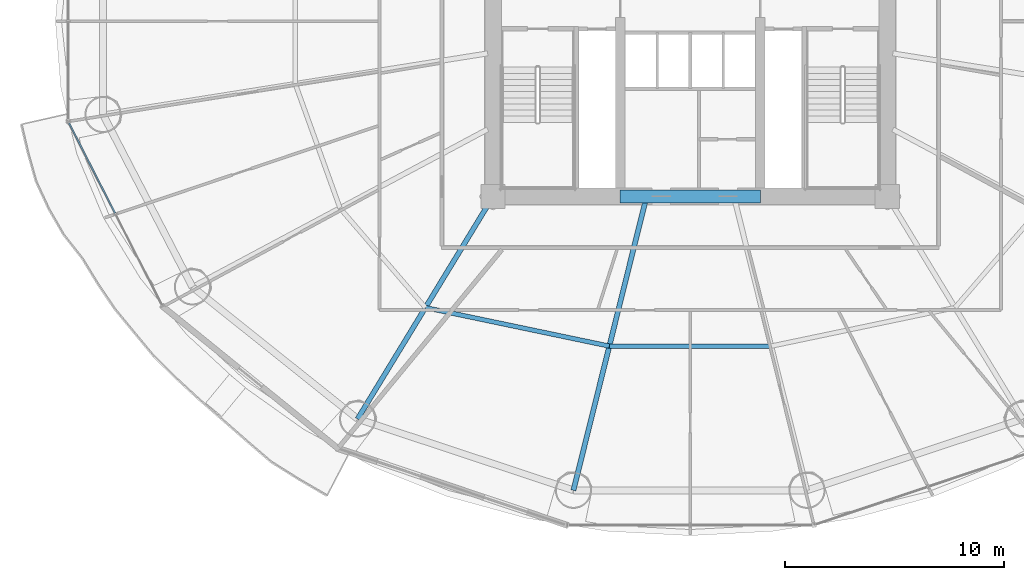
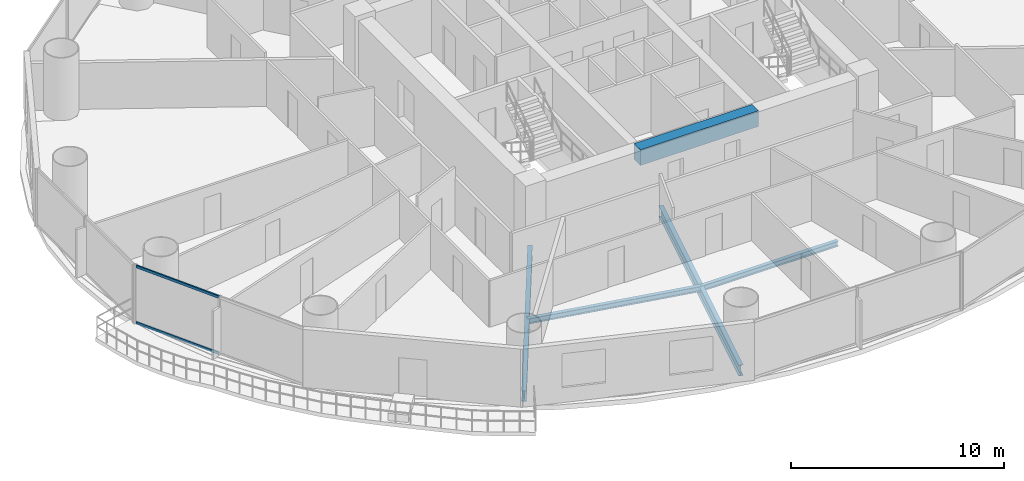
# One storey, part 5 of 29: 5 beams, 2 members, 1 element without a shape of its own.
"""IFC4 building model written with IfcOpenShell, lengths in metres."""

from ifc_helpers import new_model, si_unit, direction, frame, origin, origin_2d, place, context, subcontext, project, spatial, rectangle, hollow_rectangle, i_section, extrude, source, transform, mapped, material, material_profile, profile_set, type_object, element, aggregate, save


model = new_model("IFC4")

# Units and contexts
model_context = context("Model", 3, precision=1e-05, world=origin(), true_north=direction((-0.2419218956, 0.970295726276)))
body_context = subcontext(model_context, "Body", "Model", "MODEL_VIEW")
ifc_project = project(units=[si_unit("LENGTHUNIT", "METRE"), si_unit("AREAUNIT", "SQUARE_METRE"), si_unit("VOLUMEUNIT", "CUBIC_METRE"), si_unit("PLANEANGLEUNIT", "RADIAN"), si_unit("MASSUNIT", "GRAM", prefix="KILO")], contexts=[model_context])

# Site, building, storey
site_placement = place(None, origin())
site = spatial("IfcSite", under=ifc_project, at=site_placement, CompositionType="ELEMENT")
building_placement = place(site_placement, origin())
building = spatial("IfcBuilding", under=site, at=building_placement, Name="Cobrevalo Terracotta Tower", CompositionType="ELEMENT")
storey_placement = place(building_placement, frame((0.0, 0.0, 45.60009765625)))
storey = spatial("IfcBuildingStorey", under=building, at=storey_placement, Name="L11", CompositionType="ELEMENT", Elevation=45.60009765625)

# Beams
ifc_material_1 = material(Name="Concrete C60", Category="concrete")
ifc_material_profile_1 = material_profile(ifc_material_1, rectangle(XDim=0.60009765625, YDim=0.89990234375, at=origin_2d()), Name="RC CB 600x900")
ifc_profile_set_1 = profile_set([ifc_material_profile_1], Name="Concrete C60")
beam_type_1 = type_object("IfcBeamType", Name="Structural Beam RC CB 600x900 (Concrete C60)", PredefinedType="BEAM", material=ifc_profile_set_1)
beam_1_placement = place(storey_placement, frame((34.800048828125, 18.800048828125, 2.869873046875), z_axis=(1.0, 0.0, 0.0), x_axis=(0.0, 1.0, 0.0)))
element("IfcBeam", 1, at=beam_1_placement, inside=storey, type_object=beam_type_1, Name="L11 core coupling beam 1", PredefinedType="BEAM", context=body_context, shape_type="SweptSolid", body=[
    extrude(rectangle(XDim=0.60009765625, YDim=0.89990234375, at=origin_2d()), origin(), (0.0, 0.0, 1.0), 6.39990234375),
])
ifc_material_2 = material(Name="Steel S355", Category="steel")
ifc_material_profile_2 = material_profile(ifc_material_2, i_section(OverallWidth=0.22998046875, OverallDepth=0.616943359375, WebThickness=0.01318359375, FlangeThickness=0.022216796875, at=origin_2d()), Name="W 610x140")
ifc_profile_set_2 = profile_set([ifc_material_profile_2], Name="Steel S355")
beam_type_2 = type_object("IfcBeamType", Name="Structural Beam W 610x140 (Steel S355)", PredefinedType="BEAM", material=ifc_profile_set_2)
beam_2_placement = place(storey_placement, frame((22.80517578125, 8.63232421875, -0.588623046875), z_axis=(0.520300780853, 0.853983077961, 0.0), x_axis=(-0.853983077961, 0.520300780853, 0.0)))
element("IfcBeam", 2, at=beam_2_placement, inside=storey, type_object=beam_type_2, Name="L11 radial floor girder 11", PredefinedType="BEAM", context=body_context, shape_type="SweptSolid", body=[
    extrude(i_section(OverallWidth=0.22998046875, OverallDepth=0.616943359375, WebThickness=0.01318359375, FlangeThickness=0.022216796875, at=origin_2d()), origin(), (0.0, 0.0, 1.0), 11.90625),
])
beam_3_placement = place(storey_placement, frame((32.664306640625, 5.369873046875, -0.588623046875), z_axis=(0.241600470374, 0.970375810042, 0.0), x_axis=(-0.970375810042, 0.241600470374, 0.0)))
element("IfcBeam", 3, at=beam_3_placement, inside=storey, type_object=beam_type_2, Name="L11 radial floor girder 12", PredefinedType="BEAM", context=body_context, shape_type="SweptSolid", body=[
    extrude(i_section(OverallWidth=0.22998046875, OverallDepth=0.616943359375, WebThickness=0.01318359375, FlangeThickness=0.022216796875, at=origin_2d()), origin(), (0.0, 0.0, 1.0), 13.5771484375),
])
ifc_material_profile_3 = material_profile(ifc_material_2, i_section(OverallWidth=0.2041015625, OverallDepth=0.305908203125, WebThickness=0.008544921875, FlangeThickness=0.0146484375, at=origin_2d()), Name="W 310x67")
ifc_profile_set_3 = profile_set([ifc_material_profile_3], Name="Steel S355")
beam_type_3 = type_object("IfcBeamType", Name="Structural Joist W 310x67 (Steel S355)", PredefinedType="JOIST", material=ifc_profile_set_3)
beam_4_placement = place(storey_placement, frame((25.902587890625, 13.71630859375, -0.43310546875), z_axis=(0.978784523904, -0.204892302848, 0.0), x_axis=(0.204892302848, 0.978784523904, 0.0)))
element("IfcBeam", 4, at=beam_4_placement, inside=storey, type_object=beam_type_3, Name="L11 circumferential secondary floor joist 11", PredefinedType="JOIST", context=body_context, shape_type="SweptSolid", body=[
    extrude(i_section(OverallWidth=0.2041015625, OverallDepth=0.305908203125, WebThickness=0.008544921875, FlangeThickness=0.0146484375, at=origin_2d()), origin(), (0.0, 0.0, 1.0), 8.583984375),
])
beam_5_placement = place(storey_placement, frame((34.304443359375, 11.95751953125, -0.43310546875), z_axis=(1.0, 0.0, 0.0), x_axis=(0.0, 1.0, 0.0)))
element("IfcBeam", 5, at=beam_5_placement, inside=storey, type_object=beam_type_3, Name="L11 circumferential secondary floor joist 12", PredefinedType="JOIST", context=body_context, shape_type="SweptSolid", body=[
    extrude(i_section(OverallWidth=0.2041015625, OverallDepth=0.305908203125, WebThickness=0.008544921875, FlangeThickness=0.0146484375, at=origin_2d()), origin(), (0.0, 0.0, 1.0), 7.39111328125),
])

# Curtain wall, members
ifc_material_3 = material(Name="Anodized aluminium", Category="aluminium")
curtain_wall_type = type_object("IfcCurtainWallType", Name="Lower-tower unitised acoustic low-E curtain wall CW-U1", PredefinedType="NOTDEFINED", material=ifc_material_3)
curtain_wall_placement = place(storey_placement, origin())
curtain_wall = element("IfcCurtainWall", 6, at=curtain_wall_placement, inside=storey, type_object=curtain_wall_type, Name="L11 curtain wall CW-L11-S09", PredefinedType="NOTDEFINED")
ifc_material_profile_4 = material_profile(ifc_material_3, hollow_rectangle(XDim=0.074951171875, YDim=0.14990234375, WallThickness=0.00439453125, at=origin_2d()), Name="CWT 75x150")
ifc_profile_set_4 = profile_set([ifc_material_profile_4], Name="Anodized aluminium")
member_type = type_object("IfcMemberType", Name="Tower unitised aluminium transom 75x150", PredefinedType="USERDEFINED", material=ifc_profile_set_4)
shared_shape = source(origin(), body_context, "Body", "SweptSolid", [
    extrude(hollow_rectangle(XDim=0.074951171875, YDim=0.14990234375, WallThickness=0.00439453125, at=origin_2d()), origin(), (0.0, 0.0, 1.0), 4.630859375),
])
member_1_placement = place(storey_placement, frame((9.623046875, 22.14990234375, 0.0498046875), z_axis=(0.455229952508, -0.890373904795, 0.0), x_axis=(0.890373904795, 0.455229952508, 0.0)))
member_1 = element("IfcMember", 7, at=member_1_placement, type_object=member_type, Name="CW-L11-S09 transom B01-T1", ObjectType="TRANSOM", PredefinedType="USERDEFINED", context=body_context, shape_type="MappedRepresentation", body=[
    mapped(shared_shape, transform((0.0, 0.0, 0.0), scale=1.0)),
])
member_2_placement = place(storey_placement, frame((9.623046875, 22.14990234375, 3.27001953125), z_axis=(0.455229952508, -0.890373904795, 0.0), x_axis=(0.890373904795, 0.455229952508, 0.0)))
member_2 = element("IfcMember", 8, at=member_2_placement, type_object=member_type, Name="CW-L11-S09 transom B01-T2", ObjectType="TRANSOM", PredefinedType="USERDEFINED", context=body_context, shape_type="MappedRepresentation", body=[
    mapped(shared_shape, transform((0.0, 0.0, 0.0), scale=1.0)),
])
aggregate(curtain_wall, [member_1, member_2])

save(model, "model.ifc")
